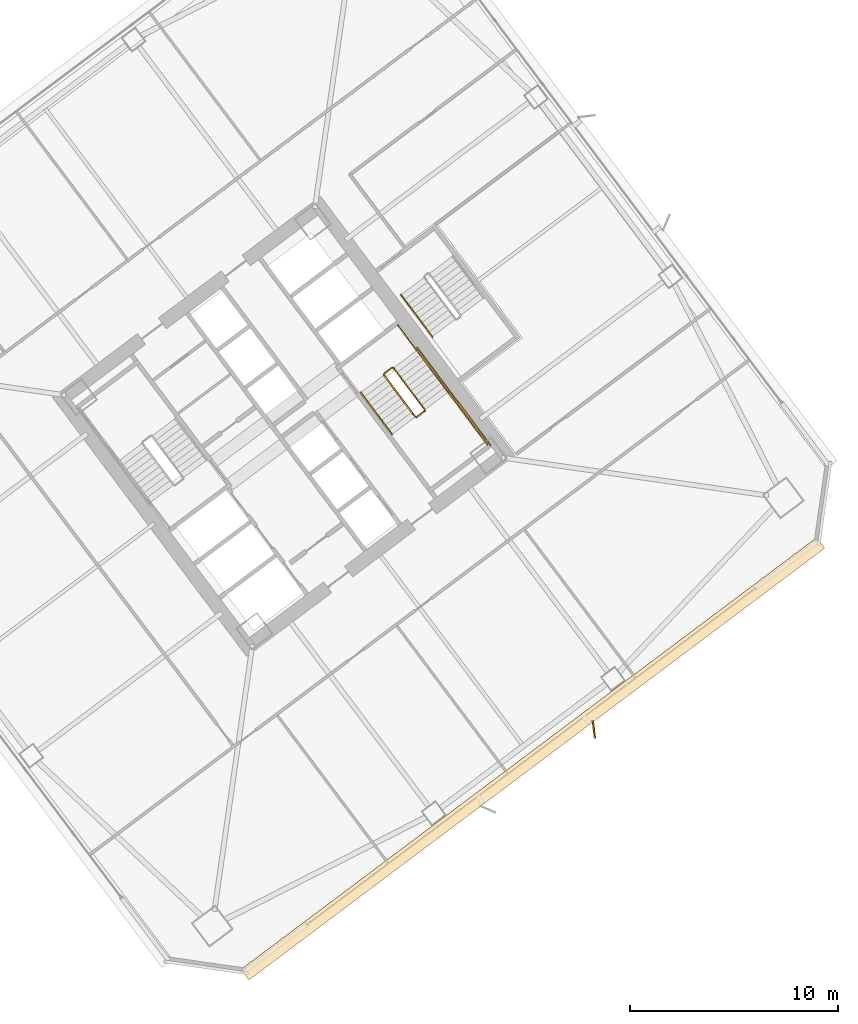
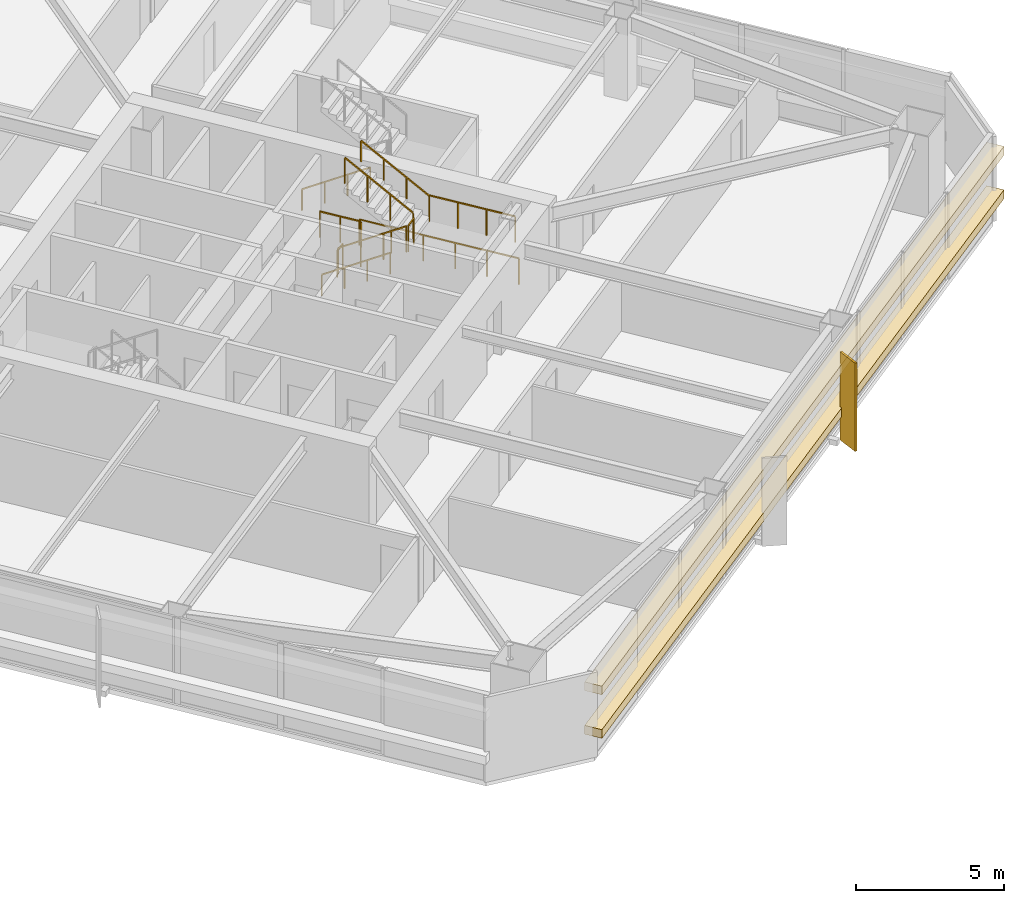
# One storey, part 46 of 49: 10 railings, 2 coverings, 1 shading device.
"""IFC4 building model written with IfcOpenShell, lengths in metres."""

from ifc_helpers import new_model, si_unit, direction, frame, origin, origin_2d, place, context, subcontext, project, spatial, rectangle, extrude, material, layer, layer_set, type_object, element, save


model = new_model("IFC4")

# Units and contexts
model_context = context("Model", 3, precision=1e-05, world=origin(), true_north=direction((0.0, 1.0)))
body_context = subcontext(model_context, "Body", "Model", "MODEL_VIEW")
ifc_project = project(units=[si_unit("LENGTHUNIT", "METRE"), si_unit("AREAUNIT", "SQUARE_METRE"), si_unit("VOLUMEUNIT", "CUBIC_METRE"), si_unit("PLANEANGLEUNIT", "RADIAN"), si_unit("MASSUNIT", "GRAM", prefix="KILO")], contexts=[model_context])

# Site, building, storey
site_placement = place(None, origin())
site = spatial("IfcSite", under=ifc_project, at=site_placement, CompositionType="ELEMENT")
building_placement = place(site_placement, origin())
building = spatial("IfcBuilding", under=site, at=building_placement, Name="Tashvorn Skyway Center", CompositionType="ELEMENT")
storey_placement = place(building_placement, frame((0.0, 0.0, 70.75)))
storey = spatial("IfcBuildingStorey", under=building, at=storey_placement, Name="L18", CompositionType="ELEMENT", Elevation=70.75)

# Coverings
ifc_material_1 = material(Name="Perforated ceramic-coated bronze aluminium solar screen", Category="aluminium")
ifc_layer_1 = layer(ifc_material_1, 0.85009765625)
ifc_layer_set_1 = layer_set([ifc_layer_1], Name="Perforated ceramic-coated bronze aluminium solar screen")
covering_type = type_object("IfcCoveringType", Name="COV-SOLAR-BAND", PredefinedType="CLADDING", material=ifc_layer_set_1)
for number, where, z_axis, x_axis, name in (
    (1, (126.011962890625, 15.98388671875, 0.919921875), (0.0, 0.0, 1.0), (-0.799999996291, -0.600000004945, 0.0), "L18 Perforated Ceramic-Metal Solar Screen Louvre Band South 1"),
    (2, (126.011962890625, 15.98388671875, 2.7197265625), (0.0, 0.0, 1.0), (-0.799999996291, -0.600000004945, 0.0), "L18 Perforated Ceramic-Metal Solar Screen Louvre Band South 2"),
):
    element("IfcCovering", number, at=place(storey_placement, frame(where, z_axis=z_axis, x_axis=x_axis)), inside=storey, type_object=covering_type, Name=name, PredefinedType="CLADDING", context=body_context, shape_type="SweptSolid", body=[
        extrude(rectangle(XDim=34.679931640625, YDim=0.639892578125, at=origin_2d()), origin(), (0.0, 0.0, 1.0), 0.360107421875),
    ])

# Railings
ifc_material_2 = material(Name="Brushed stainless steel 316", Category="steel")
railing_type_1 = type_object("IfcRailingType", Name="RAIL-HAND-920", PredefinedType="HANDRAIL", material=ifc_material_2)
railing_1_placement = place(storey_placement, frame((117.7119140625, 33.634033203125, 0.177490234375)))
element("IfcRailing", 3, at=railing_1_placement, inside=storey, type_object=railing_type_1, Name="L18 ST-T2-2 stair handrail 1", PredefinedType="HANDRAIL", context=body_context, shape_type="SweptSolid", body=[
    extrude(rectangle(XDim=0.048095703125, YDim=0.048095703125, at=origin_2d()), frame((0.0, 0.0, 0.8759765625), z_axis=(0.506801609611, -0.675680931896, 0.535357270211), x_axis=(0.799976749893, 0.600030998891, 0.0)), (0.0, 0.0, 1.0), 2.98388671875),
    extrude(rectangle(XDim=0.0419921875, YDim=0.0419921875, at=origin_2d()), origin(), (0.0, 0.0, 1.0), 0.851806640625),
    extrude(rectangle(XDim=0.0419921875, YDim=0.0419921875, at=origin_2d()), frame((0.504150390625, -0.672119140625, 0.532470703125)), (0.0, 0.0, 1.0), 0.851806640625),
    extrude(rectangle(XDim=0.0419921875, YDim=0.0419921875, at=origin_2d()), frame((1.008056640625, -1.343994140625, 1.06494140625)), (0.0, 0.0, 1.0), 0.851806640625),
    extrude(rectangle(XDim=0.0419921875, YDim=0.0419921875, at=origin_2d()), frame((1.51220703125, -2.01611328125, 1.597412109375)), (0.0, 0.0, 1.0), 0.851806640625),
])
railing_2_placement = place(storey_placement, frame((121.927978515625, 33.64599609375, 1.952392578125)))
element("IfcRailing", 4, at=railing_2_placement, inside=storey, type_object=railing_type_1, Name="L18 ST-T2-2 stair handrail 2", PredefinedType="HANDRAIL", context=body_context, shape_type="SweptSolid", body=[
    extrude(rectangle(XDim=0.048095703125, YDim=0.048095703125, at=origin_2d()), frame((0.0, 0.0, 0.8759765625), z_axis=(-0.506718600913, 0.675679348675, 0.535437836974), x_axis=(-0.800023250257, -0.599968998406, 0.0)), (0.0, 0.0, 1.0), 2.98388671875),
    extrude(rectangle(XDim=0.0419921875, YDim=0.0419921875, at=origin_2d()), origin(), (0.0, 0.0, 1.0), 0.851806640625),
    extrude(rectangle(XDim=0.0419921875, YDim=0.0419921875, at=origin_2d()), frame((-0.50390625, 0.672119140625, 0.532470703125)), (0.0, 0.0, 1.0), 0.851806640625),
    extrude(rectangle(XDim=0.0419921875, YDim=0.0419921875, at=origin_2d()), frame((-1.008056640625, 1.343994140625, 1.065185546875)), (0.0, 0.0, 1.0), 0.851806640625),
    extrude(rectangle(XDim=0.0419921875, YDim=0.0419921875, at=origin_2d()), frame((-1.511962890625, 2.01611328125, 1.59765625)), (0.0, 0.0, 1.0), 0.851806640625),
])
railing_3_placement = place(storey_placement, frame((119.656005859375, 38.342041015625, 0.177490234375)))
element("IfcRailing", 5, at=railing_3_placement, inside=storey, type_object=railing_type_1, Name="L18 ST-T2-3 stair handrail 1", PredefinedType="HANDRAIL", context=body_context, shape_type="SweptSolid", body=[
    extrude(rectangle(XDim=0.048095703125, YDim=0.048095703125, at=origin_2d()), frame((0.0, 0.0, 0.8759765625), z_axis=(0.506740800098, -0.675708949977, 0.535379469569), x_axis=(0.800023250257, 0.599968998406, 0.0)), (0.0, 0.0, 1.0), 2.983642578125),
    extrude(rectangle(XDim=0.0419921875, YDim=0.0419921875, at=origin_2d()), origin(), (0.0, 0.0, 1.0), 0.851806640625),
    extrude(rectangle(XDim=0.0419921875, YDim=0.0419921875, at=origin_2d()), frame((0.50390625, -0.672119140625, 0.532470703125)), (0.0, 0.0, 1.0), 0.851806640625),
    extrude(rectangle(XDim=0.0419921875, YDim=0.0419921875, at=origin_2d()), frame((1.008056640625, -1.343994140625, 1.06494140625)), (0.0, 0.0, 1.0), 0.851806640625),
    extrude(rectangle(XDim=0.0419921875, YDim=0.0419921875, at=origin_2d()), frame((1.511962890625, -2.01611328125, 1.597412109375)), (0.0, 0.0, 1.0), 0.851806640625),
])
ifc_material_3 = material(Name="Painted galvanized steel S355", Category="steel")
railing_type_2 = type_object("IfcRailingType", Name="RAIL-STGUARD-1100", PredefinedType="GUARDRAIL", material=ifc_material_3)
railing_4_placement = place(storey_placement, frame((118.83203125, 34.47412109375, 0.177490234375)))
element("IfcRailing", 6, at=railing_4_placement, inside=storey, type_object=railing_type_2, Name="L18 ST-T2-2 stair guard 1", PredefinedType="GUARDRAIL", context=body_context, shape_type="SweptSolid", body=[
    extrude(rectangle(XDim=0.048095703125, YDim=0.048095703125, at=origin_2d()), frame((0.0, 0.0, 1.076171875), z_axis=(0.506740800098, -0.675708949977, 0.535379469569), x_axis=(0.800023250257, 0.599968998406, 0.0)), (0.0, 0.0, 1.0), 2.983642578125),
    extrude(rectangle(XDim=0.0419921875, YDim=0.0419921875, at=origin_2d()), origin(), (0.0, 0.0, 1.0), 1.052001953125),
    extrude(rectangle(XDim=0.0419921875, YDim=0.0419921875, at=origin_2d()), frame((0.50390625, -0.672119140625, 0.532470703125)), (0.0, 0.0, 1.0), 1.052001953125),
    extrude(rectangle(XDim=0.0419921875, YDim=0.0419921875, at=origin_2d()), frame((1.008056640625, -1.343994140625, 1.06494140625)), (0.0, 0.0, 1.0), 1.052001953125),
    extrude(rectangle(XDim=0.0419921875, YDim=0.0419921875, at=origin_2d()), frame((1.511962890625, -2.01611328125, 1.597412109375)), (0.0, 0.0, 1.0), 1.052001953125),
])
railing_5_placement = place(storey_placement, frame((120.4140625, 32.447998046875, 1.77490234375)))
element("IfcRailing", 7, at=railing_5_placement, inside=storey, type_object=railing_type_2, Name="L18 ST-T2-2 stair guard 2", PredefinedType="GUARDRAIL", context=body_context, shape_type="SweptSolid", body=[
    extrude(rectangle(XDim=0.048095703125, YDim=0.048095703125, at=origin_2d()), frame((0.0, 0.0, 1.076171875), z_axis=(0.799938970639, 0.600081363861, 0.0), x_axis=(-0.600081363861, 0.799938970639, 0.0)), (0.0, 0.0, 1.0), 0.47998046875),
    extrude(rectangle(XDim=0.0419921875, YDim=0.0419921875, at=origin_2d()), origin(), (0.0, 0.0, 1.0), 1.052001953125),
    extrude(rectangle(XDim=0.0419921875, YDim=0.0419921875, at=origin_2d()), frame((0.384033203125, 0.2880859375, 0.0)), (0.0, 0.0, 1.0), 1.052001953125),
])
railing_6_placement = place(storey_placement, frame((121.927978515625, 33.64599609375, 1.77490234375)))
element("IfcRailing", 8, at=railing_6_placement, inside=storey, type_object=railing_type_2, Name="L18 ST-T2-2 stair guard 3", PredefinedType="GUARDRAIL", context=body_context, shape_type="SweptSolid", body=[
    extrude(rectangle(XDim=0.048095703125, YDim=0.048095703125, at=origin_2d()), frame((0.0, 0.0, 1.076171875), z_axis=(0.599987638607, -0.800009270896, 0.0), x_axis=(0.800009270896, 0.599987638607, 0.0)), (0.0, 0.0, 1.0), 3.16015625),
    extrude(rectangle(XDim=0.0419921875, YDim=0.0419921875, at=origin_2d()), origin(), (0.0, 0.0, 1.0), 1.052001953125),
    extrude(rectangle(XDim=0.0419921875, YDim=0.0419921875, at=origin_2d()), frame((0.632080078125, -0.8427734375, 0.0)), (0.0, 0.0, 1.0), 1.052001953125),
    extrude(rectangle(XDim=0.0419921875, YDim=0.0419921875, at=origin_2d()), frame((1.263916015625, -1.685302734375, 0.0)), (0.0, 0.0, 1.0), 1.052001953125),
    extrude(rectangle(XDim=0.0419921875, YDim=0.0419921875, at=origin_2d()), frame((1.89599609375, -2.528076171875, 0.0)), (0.0, 0.0, 1.0), 1.052001953125),
])
railing_7_placement = place(storey_placement, frame((120.80810546875, 32.805908203125, 1.952392578125)))
element("IfcRailing", 9, at=railing_7_placement, inside=storey, type_object=railing_type_2, Name="L18 ST-T2-2 stair guard 4", PredefinedType="GUARDRAIL", context=body_context, shape_type="SweptSolid", body=[
    extrude(rectangle(XDim=0.048095703125, YDim=0.048095703125, at=origin_2d()), frame((0.0, 0.0, 1.076171875), z_axis=(-0.506779409603, 0.675651334276, 0.53541563714), x_axis=(-0.799976749893, -0.600030998891, 0.0)), (0.0, 0.0, 1.0), 2.98388671875),
    extrude(rectangle(XDim=0.0419921875, YDim=0.0419921875, at=origin_2d()), origin(), (0.0, 0.0, 1.0), 1.052001953125),
    extrude(rectangle(XDim=0.0419921875, YDim=0.0419921875, at=origin_2d()), frame((-0.504150390625, 0.672119140625, 0.532470703125)), (0.0, 0.0, 1.0), 1.052001953125),
    extrude(rectangle(XDim=0.0419921875, YDim=0.0419921875, at=origin_2d()), frame((-1.008056640625, 1.343994140625, 1.065185546875)), (0.0, 0.0, 1.0), 1.052001953125),
    extrude(rectangle(XDim=0.0419921875, YDim=0.0419921875, at=origin_2d()), frame((-1.51220703125, 2.01611328125, 1.59765625)), (0.0, 0.0, 1.0), 1.052001953125),
])
railing_8_placement = place(storey_placement, frame((118.842041015625, 34.5439453125, 0.0)))
element("IfcRailing", 10, at=railing_8_placement, inside=storey, type_object=railing_type_2, Name="L18 ST-T2-2 stair guard 5", PredefinedType="GUARDRAIL", context=body_context, shape_type="SweptSolid", body=[
    extrude(rectangle(XDim=0.048095703125, YDim=0.048095703125, at=origin_2d()), frame((0.0, 0.0, 1.076171875), z_axis=(0.799938970639, 0.600081363861, 0.0), x_axis=(-0.600081363861, 0.799938970639, 0.0)), (0.0, 0.0, 1.0), 0.47998046875),
    extrude(rectangle(XDim=0.0419921875, YDim=0.0419921875, at=origin_2d()), origin(), (0.0, 0.0, 1.0), 1.052001953125),
    extrude(rectangle(XDim=0.0419921875, YDim=0.0419921875, at=origin_2d()), frame((0.384033203125, 0.2880859375, 0.0)), (0.0, 0.0, 1.0), 1.052001953125),
])
railing_9_placement = place(storey_placement, frame((119.50390625, 36.8779296875, 0.0)))
element("IfcRailing", 11, at=railing_9_placement, inside=storey, type_object=railing_type_2, Name="L18 ST-T2-2 stair guard 6", PredefinedType="GUARDRAIL", context=body_context, shape_type="SweptSolid", body=[
    extrude(rectangle(XDim=0.048095703125, YDim=0.048095703125, at=origin_2d()), frame((0.0, 0.0, 1.076171875), z_axis=(0.600102796382, -0.799922892393, 0.0), x_axis=(0.799922892393, 0.600102796382, 0.0)), (0.0, 0.0, 1.0), 1.52001953125),
    extrude(rectangle(XDim=0.0419921875, YDim=0.0419921875, at=origin_2d()), origin(), (0.0, 0.0, 1.0), 1.052001953125),
    extrude(rectangle(XDim=0.0419921875, YDim=0.0419921875, at=origin_2d()), frame((0.4560546875, -0.60791015625, 0.0)), (0.0, 0.0, 1.0), 1.052001953125),
    extrude(rectangle(XDim=0.0419921875, YDim=0.0419921875, at=origin_2d()), frame((0.912109375, -1.2158203125, 0.0)), (0.0, 0.0, 1.0), 1.052001953125),
])
railing_10_placement = place(storey_placement, frame((120.43603515625, 35.802001953125, 0.0)))
element("IfcRailing", 12, at=railing_10_placement, inside=storey, type_object=railing_type_2, Name="L18 ST-T2-2 stair guard 7", PredefinedType="GUARDRAIL", context=body_context, shape_type="SweptSolid", body=[
    extrude(rectangle(XDim=0.048095703125, YDim=0.048095703125, at=origin_2d()), frame((0.0, 0.0, 1.076171875), z_axis=(0.6, -0.8, 0.0), x_axis=(0.8, 0.6, 0.0)), (0.0, 0.0, 1.0), 5.880126953125),
    extrude(rectangle(XDim=0.0419921875, YDim=0.0419921875, at=origin_2d()), origin(), (0.0, 0.0, 1.0), 1.052001953125),
    extrude(rectangle(XDim=0.0419921875, YDim=0.0419921875, at=origin_2d()), frame((0.70556640625, -0.94091796875, 0.0)), (0.0, 0.0, 1.0), 1.052001953125),
    extrude(rectangle(XDim=0.0419921875, YDim=0.0419921875, at=origin_2d()), frame((1.4111328125, -1.881591796875, 0.0)), (0.0, 0.0, 1.0), 1.052001953125),
    extrude(rectangle(XDim=0.0419921875, YDim=0.0419921875, at=origin_2d()), frame((2.116943359375, -2.822509765625, 0.0)), (0.0, 0.0, 1.0), 1.052001953125),
    extrude(rectangle(XDim=0.0419921875, YDim=0.0419921875, at=origin_2d()), frame((2.822509765625, -3.76318359375, 0.0)), (0.0, 0.0, 1.0), 1.052001953125),
    extrude(rectangle(XDim=0.0419921875, YDim=0.0419921875, at=origin_2d()), frame((3.528076171875, -4.7041015625, 0.0)), (0.0, 0.0, 1.0), 1.052001953125),
])

# Shading device
ifc_layer_2 = layer(ifc_material_1, 0.06005859375)
ifc_layer_set_2 = layer_set([ifc_layer_2], Name="Perforated ceramic-coated bronze aluminium solar screen")
shading_device_type = type_object("IfcShadingDeviceType", Name="SHD-SOLAR-850", PredefinedType="USERDEFINED", material=ifc_layer_set_2)
shading_device_placement = place(storey_placement, frame((128.949951171875, 17.39990234375, -0.099853515625), z_axis=(0.0, 0.0, 1.0), x_axis=(-0.992820322288, -0.119615248407, 0.0)))
element("IfcShadingDevice", 13, at=shading_device_placement, inside=storey, type_object=shading_device_type, Name="Tower 2 L18 Perforated Ceramic-Metal Solar Screen S2", ObjectType="SCREEN", PredefinedType="USERDEFINED", context=body_context, shape_type="SweptSolid", body=[
    extrude(rectangle(XDim=0.080078125, YDim=0.85009765625, at=origin_2d()), origin(), (0.0, 0.0, 1.0), 3.64990234375),
])

save(model, "model.ifc")
